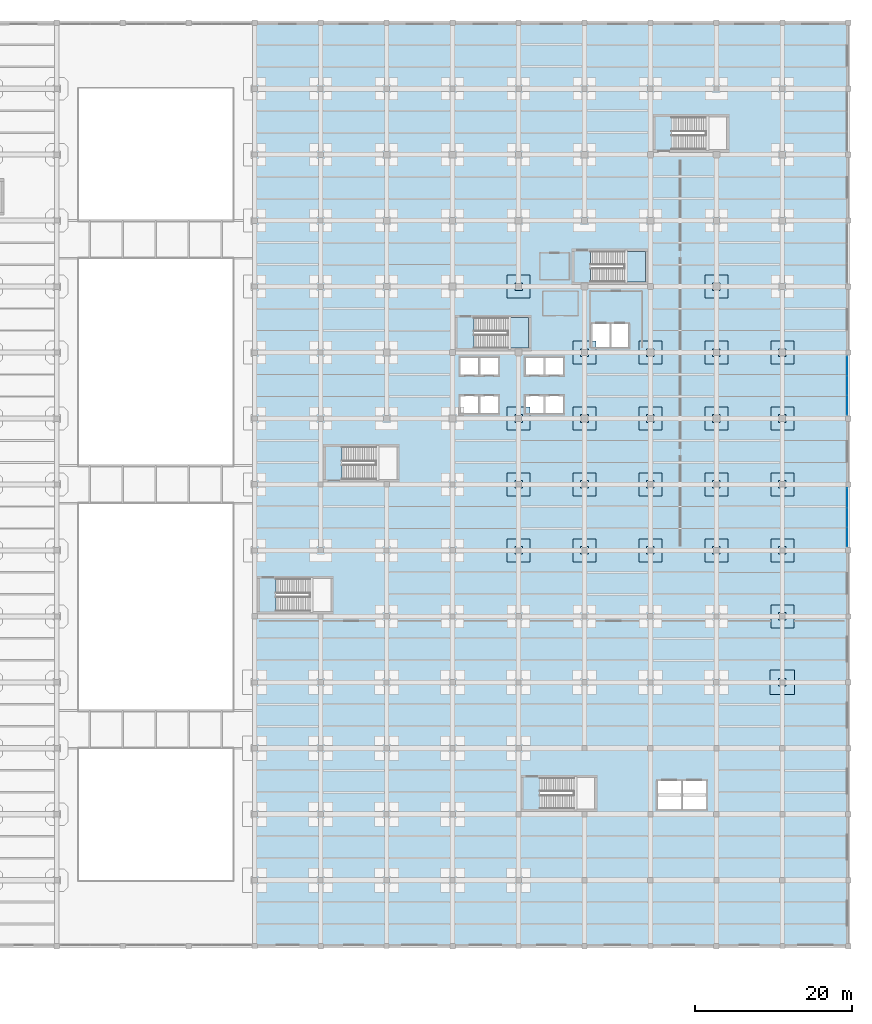
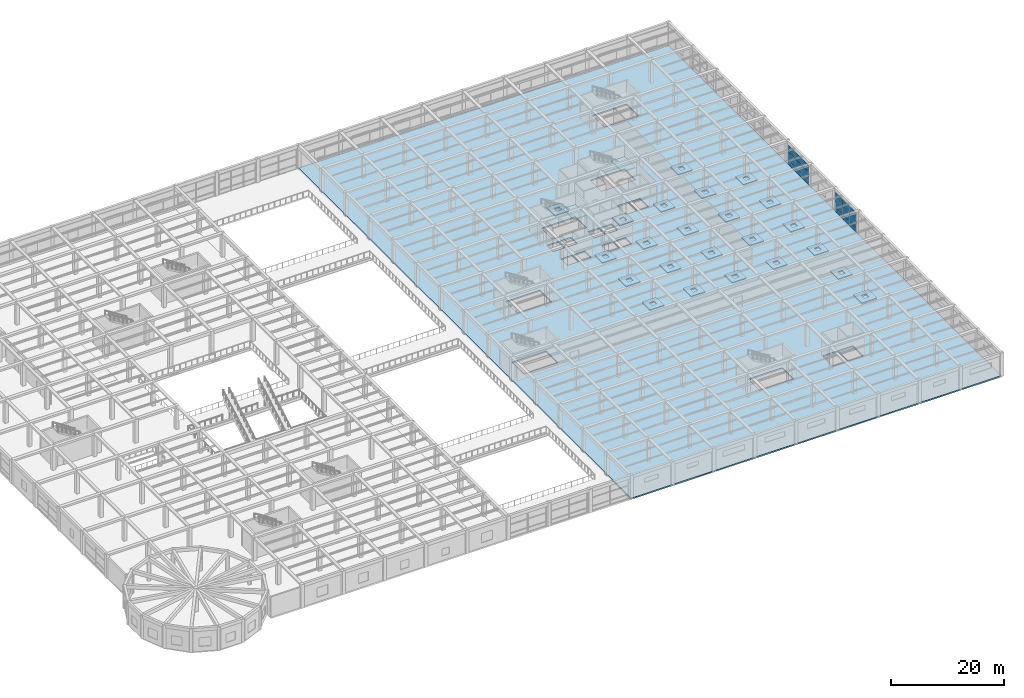
# One storey, part 45 of 65: 26 slabs, 18 plates, 4 elements without a shape of their own.
"""IFC4 building model written with IfcOpenShell, lengths in metres."""

from ifc_helpers import new_model, si_unit, direction, frame, origin, origin_2d, place, context, subcontext, project, spatial, polyline, rectangle, outline, extrude, material, layer, layer_set, type_object, element, aggregate, save


model = new_model("IFC4")

# Units and contexts
model_context = context("Model", 3, precision=1e-05, world=origin(), true_north=direction((0.0, 1.0)))
body_context = subcontext(model_context, "Body", "Model", "MODEL_VIEW")
ifc_project = project(units=[si_unit("LENGTHUNIT", "METRE"), si_unit("AREAUNIT", "SQUARE_METRE"), si_unit("VOLUMEUNIT", "CUBIC_METRE"), si_unit("PLANEANGLEUNIT", "RADIAN"), si_unit("MASSUNIT", "GRAM", prefix="KILO")], contexts=[model_context])

# Site, building, storey
site_placement = place(None, origin())
site = spatial("IfcSite", under=ifc_project, at=site_placement, CompositionType="ELEMENT")
building_placement = place(site_placement, origin())
building = spatial("IfcBuilding", under=site, at=building_placement, Name="Almacenes y Pasaje Nevantli", CompositionType="ELEMENT")
storey_placement = place(building_placement, frame((0.0, 0.0, 16.800048828125)))
storey = spatial("IfcBuildingStorey", under=building, at=storey_placement, Name="L04", CompositionType="ELEMENT", Elevation=16.800048828125)

# Curtain wall, plates
ifc_material_1 = material(Name="Thermally Broken Aluminium and Low-E Glass", Category="aluminium")
curtain_wall_type = type_object("IfcCurtainWallType", Name="CW-UNIT-PODIUM", PredefinedType="USERDEFINED", material=ifc_material_1)
curtain_wall_1_placement = place(storey_placement, origin())
curtain_wall_1 = element("IfcCurtainWall", 1, at=curtain_wall_1_placement, inside=storey, type_object=curtain_wall_type, Name="L04 East Office Wing Curtain Wall Bay 7", ObjectType="UNITIZED CURTAIN WALL", PredefinedType="USERDEFINED")
ifc_material_2 = material(Name="Low-E Double Glazed Insulated Unit", Category="glass")
ifc_layer_1 = layer(ifc_material_2, 0.031982421875)
ifc_layer_set_1 = layer_set([ifc_layer_1], Name="Low-E Double Glazed Insulated Unit")
plate_type = type_object("IfcPlateType", Name="PL-IGU-32", PredefinedType="CURTAIN_PANEL", material=ifc_layer_set_1)
plate_1_placement = place(storey_placement, frame((167.85009765625, 52.11376953125, 0.05517578125), z_axis=(0.0, 0.0, 1.0), x_axis=(0.0, 1.0, 0.0)))
plate_1 = element("IfcPlate", 2, at=plate_1_placement, type_object=plate_type, Name="CW-L04-079 panel 1.1", PredefinedType="CURTAIN_PANEL", context=body_context, shape_type="SweptSolid", body=[
    extrude(rectangle(XDim=2.41748046875, YDim=0.031982421875, at=origin_2d()), origin(), (0.0, 0.0, 1.0), 0.867431640625),
])
plate_2_placement = place(storey_placement, frame((167.85009765625, 52.11376953125, 0.9775390625), z_axis=(0.0, 0.0, 1.0), x_axis=(0.0, 1.0, 0.0)))
plate_2 = element("IfcPlate", 3, at=plate_2_placement, type_object=plate_type, Name="CW-L04-079 panel 1.2", PredefinedType="CURTAIN_PANEL", context=body_context, shape_type="SweptSolid", body=[
    extrude(rectangle(XDim=2.41748046875, YDim=0.031982421875, at=origin_2d()), origin(), (0.0, 0.0, 1.0), 1.844970703125),
])
plate_3_placement = place(storey_placement, frame((167.85009765625, 52.11376953125, 2.87744140625), z_axis=(0.0, 0.0, 1.0), x_axis=(0.0, 1.0, 0.0)))
plate_3 = element("IfcPlate", 4, at=plate_3_placement, type_object=plate_type, Name="CW-L04-079 panel 1.3", PredefinedType="CURTAIN_PANEL", context=body_context, shape_type="SweptSolid", body=[
    extrude(rectangle(XDim=2.41748046875, YDim=0.031982421875, at=origin_2d()), origin(), (0.0, 0.0, 1.0), 1.447509765625),
])
plate_4_placement = place(storey_placement, frame((167.85009765625, 54.60009765625, 0.05517578125), z_axis=(0.0, 0.0, 1.0), x_axis=(0.0, 1.0, 0.0)))
plate_4 = element("IfcPlate", 5, at=plate_4_placement, type_object=plate_type, Name="CW-L04-079 panel 2.1", PredefinedType="CURTAIN_PANEL", context=body_context, shape_type="SweptSolid", body=[
    extrude(rectangle(XDim=2.445068359375, YDim=0.031982421875, at=origin_2d()), origin(), (0.0, 0.0, 1.0), 0.867431640625),
])
plate_5_placement = place(storey_placement, frame((167.85009765625, 54.60009765625, 0.9775390625), z_axis=(0.0, 0.0, 1.0), x_axis=(0.0, 1.0, 0.0)))
plate_5 = element("IfcPlate", 6, at=plate_5_placement, type_object=plate_type, Name="CW-L04-079 panel 2.2", PredefinedType="CURTAIN_PANEL", context=body_context, shape_type="SweptSolid", body=[
    extrude(rectangle(XDim=2.445068359375, YDim=0.031982421875, at=origin_2d()), origin(), (0.0, 0.0, 1.0), 1.844970703125),
])
plate_6_placement = place(storey_placement, frame((167.85009765625, 54.60009765625, 2.87744140625), z_axis=(0.0, 0.0, 1.0), x_axis=(0.0, 1.0, 0.0)))
plate_6 = element("IfcPlate", 7, at=plate_6_placement, type_object=plate_type, Name="CW-L04-079 panel 2.3", PredefinedType="CURTAIN_PANEL", context=body_context, shape_type="SweptSolid", body=[
    extrude(rectangle(XDim=2.445068359375, YDim=0.031982421875, at=origin_2d()), origin(), (0.0, 0.0, 1.0), 1.447509765625),
])
plate_7_placement = place(storey_placement, frame((167.85009765625, 57.086181640625, 0.05517578125), z_axis=(0.0, 0.0, 1.0), x_axis=(0.0, 1.0, 0.0)))
plate_7 = element("IfcPlate", 8, at=plate_7_placement, type_object=plate_type, Name="CW-L04-079 panel 3.1", PredefinedType="CURTAIN_PANEL", context=body_context, shape_type="SweptSolid", body=[
    extrude(rectangle(XDim=2.41748046875, YDim=0.031982421875, at=origin_2d()), origin(), (0.0, 0.0, 1.0), 0.867431640625),
])
plate_8_placement = place(storey_placement, frame((167.85009765625, 57.086181640625, 0.9775390625), z_axis=(0.0, 0.0, 1.0), x_axis=(0.0, 1.0, 0.0)))
plate_8 = element("IfcPlate", 9, at=plate_8_placement, type_object=plate_type, Name="CW-L04-079 panel 3.2", PredefinedType="CURTAIN_PANEL", context=body_context, shape_type="SweptSolid", body=[
    extrude(rectangle(XDim=2.41748046875, YDim=0.031982421875, at=origin_2d()), origin(), (0.0, 0.0, 1.0), 1.844970703125),
])
plate_9_placement = place(storey_placement, frame((167.85009765625, 57.086181640625, 2.87744140625), z_axis=(0.0, 0.0, 1.0), x_axis=(0.0, 1.0, 0.0)))
plate_9 = element("IfcPlate", 10, at=plate_9_placement, type_object=plate_type, Name="CW-L04-079 panel 3.3", PredefinedType="CURTAIN_PANEL", context=body_context, shape_type="SweptSolid", body=[
    extrude(rectangle(XDim=2.41748046875, YDim=0.031982421875, at=origin_2d()), origin(), (0.0, 0.0, 1.0), 1.447509765625),
])
aggregate(curtain_wall_1, [plate_1, plate_2, plate_3, plate_4, plate_5, plate_6, plate_7, plate_8, plate_9])

curtain_wall_2_placement = place(storey_placement, origin())
curtain_wall_2 = element("IfcCurtainWall", 11, at=curtain_wall_2_placement, inside=storey, type_object=curtain_wall_type, Name="L04 East Office Wing Curtain Wall Bay 9", ObjectType="UNITIZED CURTAIN WALL", PredefinedType="USERDEFINED")
plate_10_placement = place(storey_placement, frame((167.85009765625, 68.913818359375, 0.05517578125), z_axis=(0.0, 0.0, 1.0), x_axis=(0.0, 1.0, 0.0)))
plate_10 = element("IfcPlate", 12, at=plate_10_placement, type_object=plate_type, Name="CW-L04-080 panel 1.1", PredefinedType="CURTAIN_PANEL", context=body_context, shape_type="SweptSolid", body=[
    extrude(rectangle(XDim=2.41748046875, YDim=0.031982421875, at=origin_2d()), origin(), (0.0, 0.0, 1.0), 0.867431640625),
])
plate_11_placement = place(storey_placement, frame((167.85009765625, 68.913818359375, 0.9775390625), z_axis=(0.0, 0.0, 1.0), x_axis=(0.0, 1.0, 0.0)))
plate_11 = element("IfcPlate", 13, at=plate_11_placement, type_object=plate_type, Name="CW-L04-080 panel 1.2", PredefinedType="CURTAIN_PANEL", context=body_context, shape_type="SweptSolid", body=[
    extrude(rectangle(XDim=2.41748046875, YDim=0.031982421875, at=origin_2d()), origin(), (0.0, 0.0, 1.0), 1.844970703125),
])
plate_12_placement = place(storey_placement, frame((167.85009765625, 68.913818359375, 2.87744140625), z_axis=(0.0, 0.0, 1.0), x_axis=(0.0, 1.0, 0.0)))
plate_12 = element("IfcPlate", 14, at=plate_12_placement, type_object=plate_type, Name="CW-L04-080 panel 1.3", PredefinedType="CURTAIN_PANEL", context=body_context, shape_type="SweptSolid", body=[
    extrude(rectangle(XDim=2.41748046875, YDim=0.031982421875, at=origin_2d()), origin(), (0.0, 0.0, 1.0), 1.447509765625),
])
plate_13_placement = place(storey_placement, frame((167.85009765625, 71.39990234375, 0.05517578125), z_axis=(0.0, 0.0, 1.0), x_axis=(0.0, 1.0, 0.0)))
plate_13 = element("IfcPlate", 15, at=plate_13_placement, type_object=plate_type, Name="CW-L04-080 panel 2.1", PredefinedType="CURTAIN_PANEL", context=body_context, shape_type="SweptSolid", body=[
    extrude(rectangle(XDim=2.445068359375, YDim=0.031982421875, at=origin_2d()), origin(), (0.0, 0.0, 1.0), 0.867431640625),
])
plate_14_placement = place(storey_placement, frame((167.85009765625, 71.39990234375, 0.9775390625), z_axis=(0.0, 0.0, 1.0), x_axis=(0.0, 1.0, 0.0)))
plate_14 = element("IfcPlate", 16, at=plate_14_placement, type_object=plate_type, Name="CW-L04-080 panel 2.2", PredefinedType="CURTAIN_PANEL", context=body_context, shape_type="SweptSolid", body=[
    extrude(rectangle(XDim=2.445068359375, YDim=0.031982421875, at=origin_2d()), origin(), (0.0, 0.0, 1.0), 1.844970703125),
])
plate_15_placement = place(storey_placement, frame((167.85009765625, 71.39990234375, 2.87744140625), z_axis=(0.0, 0.0, 1.0), x_axis=(0.0, 1.0, 0.0)))
plate_15 = element("IfcPlate", 17, at=plate_15_placement, type_object=plate_type, Name="CW-L04-080 panel 2.3", PredefinedType="CURTAIN_PANEL", context=body_context, shape_type="SweptSolid", body=[
    extrude(rectangle(XDim=2.445068359375, YDim=0.031982421875, at=origin_2d()), origin(), (0.0, 0.0, 1.0), 1.447509765625),
])
plate_16_placement = place(storey_placement, frame((167.85009765625, 73.88623046875, 0.05517578125), z_axis=(0.0, 0.0, 1.0), x_axis=(0.0, 1.0, 0.0)))
plate_16 = element("IfcPlate", 18, at=plate_16_placement, type_object=plate_type, Name="CW-L04-080 panel 3.1", PredefinedType="CURTAIN_PANEL", context=body_context, shape_type="SweptSolid", body=[
    extrude(rectangle(XDim=2.41748046875, YDim=0.031982421875, at=origin_2d()), origin(), (0.0, 0.0, 1.0), 0.867431640625),
])
plate_17_placement = place(storey_placement, frame((167.85009765625, 73.88623046875, 0.9775390625), z_axis=(0.0, 0.0, 1.0), x_axis=(0.0, 1.0, 0.0)))
plate_17 = element("IfcPlate", 19, at=plate_17_placement, type_object=plate_type, Name="CW-L04-080 panel 3.2", PredefinedType="CURTAIN_PANEL", context=body_context, shape_type="SweptSolid", body=[
    extrude(rectangle(XDim=2.41748046875, YDim=0.031982421875, at=origin_2d()), origin(), (0.0, 0.0, 1.0), 1.844970703125),
])
plate_18_placement = place(storey_placement, frame((167.85009765625, 73.88623046875, 2.87744140625), z_axis=(0.0, 0.0, 1.0), x_axis=(0.0, 1.0, 0.0)))
plate_18 = element("IfcPlate", 20, at=plate_18_placement, type_object=plate_type, Name="CW-L04-080 panel 3.3", PredefinedType="CURTAIN_PANEL", context=body_context, shape_type="SweptSolid", body=[
    extrude(rectangle(XDim=2.41748046875, YDim=0.031982421875, at=origin_2d()), origin(), (0.0, 0.0, 1.0), 1.447509765625),
])
aggregate(curtain_wall_2, [plate_10, plate_11, plate_12, plate_13, plate_14, plate_15, plate_16, plate_17, plate_18])

# Slabs
ifc_material_3 = material(Name="Concrete C35/45", Category="concrete")
ifc_layer_2 = layer(ifc_material_3, 0.25)
ifc_layer_set_2 = layer_set([ifc_layer_2], Name="Concrete C35/45")
slab_type_1 = type_object("IfcSlabType", Name="SLB-DP-250", PredefinedType="USERDEFINED", material=ifc_layer_set_2)
slab_1_placement = place(storey_placement, frame((0.0, 0.0, -0.550048828125)))
element("IfcSlab", 21, at=slab_1_placement, inside=storey, type_object=slab_type_1, Name="L04 Punching-Shear Drop Panel DP-02 #881", ObjectType="DROP PANEL", PredefinedType="USERDEFINED", context=body_context, shape_type="SweptSolid", body=[
    extrude(outline(polyline([(124.550048828125, 48.949951171875), (127.449951171875, 48.949951171875), (127.449951171875, 51.85009765625), (124.550048828125, 51.85009765625), (124.550048828125, 48.949951171875)]), holes=[polyline([(125.52001953125, 49.919921875), (126.47998046875, 49.919921875), (126.47998046875, 50.8798828125), (125.52001953125, 50.8798828125), (125.52001953125, 49.919921875)])]), origin(), (0.0, 0.0, 1.0), 0.25),
])
slab_2_placement = place(storey_placement, frame((0.0, 0.0, -0.550048828125)))
element("IfcSlab", 22, at=slab_2_placement, inside=storey, type_object=slab_type_1, Name="L04 Punching-Shear Drop Panel DP-02 #882", ObjectType="DROP PANEL", PredefinedType="USERDEFINED", context=body_context, shape_type="SweptSolid", body=[
    extrude(outline(polyline([(124.550048828125, 57.35009765625), (127.449951171875, 57.35009765625), (127.449951171875, 60.25), (124.550048828125, 60.25), (124.550048828125, 57.35009765625)]), holes=[polyline([(125.52001953125, 58.320068359375), (126.47998046875, 58.320068359375), (126.47998046875, 59.280029296875), (125.52001953125, 59.280029296875), (125.52001953125, 58.320068359375)])]), origin(), (0.0, 0.0, 1.0), 0.25),
])
slab_3_placement = place(storey_placement, frame((0.0, 0.0, -0.550048828125)))
element("IfcSlab", 23, at=slab_3_placement, inside=storey, type_object=slab_type_1, Name="L04 Punching-Shear Drop Panel DP-02 #883", ObjectType="DROP PANEL", PredefinedType="USERDEFINED", context=body_context, shape_type="SweptSolid", body=[
    extrude(outline(polyline([(124.550048828125, 65.75), (127.449951171875, 65.75), (127.449951171875, 68.64990234375), (124.550048828125, 68.64990234375), (124.550048828125, 65.75)]), holes=[polyline([(125.52001953125, 66.719970703125), (126.47998046875, 66.719970703125), (126.47998046875, 67.679931640625), (125.52001953125, 67.679931640625), (125.52001953125, 66.719970703125)])]), origin(), (0.0, 0.0, 1.0), 0.25),
])
slab_4_placement = place(storey_placement, frame((0.0, 0.0, -0.550048828125)))
element("IfcSlab", 24, at=slab_4_placement, inside=storey, type_object=slab_type_1, Name="L04 Punching-Shear Drop Panel DP-02 #884", ObjectType="DROP PANEL", PredefinedType="USERDEFINED", context=body_context, shape_type="SweptSolid", body=[
    extrude(outline(polyline([(124.550048828125, 82.550048828125), (127.449951171875, 82.550048828125), (127.449951171875, 85.449951171875), (124.550048828125, 85.449951171875), (124.550048828125, 82.550048828125)]), holes=[polyline([(125.52001953125, 83.52001953125), (126.47998046875, 83.52001953125), (126.47998046875, 84.47998046875), (125.52001953125, 84.47998046875), (125.52001953125, 83.52001953125)])]), origin(), (0.0, 0.0, 1.0), 0.25),
])
slab_5_placement = place(storey_placement, frame((0.0, 0.0, -0.550048828125)))
element("IfcSlab", 25, at=slab_5_placement, inside=storey, type_object=slab_type_1, Name="L04 Punching-Shear Drop Panel DP-02 #890", ObjectType="DROP PANEL", PredefinedType="USERDEFINED", context=body_context, shape_type="SweptSolid", body=[
    extrude(outline(polyline([(132.949951171875, 48.949951171875), (135.85009765625, 48.949951171875), (135.85009765625, 51.85009765625), (132.949951171875, 51.85009765625), (132.949951171875, 48.949951171875)]), holes=[polyline([(133.919921875, 49.919921875), (134.8798828125, 49.919921875), (134.8798828125, 50.8798828125), (133.919921875, 50.8798828125), (133.919921875, 49.919921875)])]), origin(), (0.0, 0.0, 1.0), 0.25),
])
slab_6_placement = place(storey_placement, frame((0.0, 0.0, -0.550048828125)))
element("IfcSlab", 26, at=slab_6_placement, inside=storey, type_object=slab_type_1, Name="L04 Punching-Shear Drop Panel DP-02 #891", ObjectType="DROP PANEL", PredefinedType="USERDEFINED", context=body_context, shape_type="SweptSolid", body=[
    extrude(outline(polyline([(132.949951171875, 57.35009765625), (135.85009765625, 57.35009765625), (135.85009765625, 60.25), (132.949951171875, 60.25), (132.949951171875, 57.35009765625)]), holes=[polyline([(133.919921875, 58.320068359375), (134.8798828125, 58.320068359375), (134.8798828125, 59.280029296875), (133.919921875, 59.280029296875), (133.919921875, 58.320068359375)])]), origin(), (0.0, 0.0, 1.0), 0.25),
])
slab_7_placement = place(storey_placement, frame((0.0, 0.0, -0.550048828125)))
element("IfcSlab", 27, at=slab_7_placement, inside=storey, type_object=slab_type_1, Name="L04 Punching-Shear Drop Panel DP-02 #892", ObjectType="DROP PANEL", PredefinedType="USERDEFINED", context=body_context, shape_type="SweptSolid", body=[
    extrude(outline(polyline([(132.949951171875, 65.75), (135.85009765625, 65.75), (135.85009765625, 68.64990234375), (132.949951171875, 68.64990234375), (132.949951171875, 65.75)]), holes=[polyline([(133.919921875, 66.719970703125), (134.8798828125, 66.719970703125), (134.8798828125, 67.679931640625), (133.919921875, 67.679931640625), (133.919921875, 66.719970703125)])]), origin(), (0.0, 0.0, 1.0), 0.25),
])
slab_8_placement = place(storey_placement, frame((0.0, 0.0, -0.550048828125)))
element("IfcSlab", 28, at=slab_8_placement, inside=storey, type_object=slab_type_1, Name="L04 Punching-Shear Drop Panel DP-02 #893", ObjectType="DROP PANEL", PredefinedType="USERDEFINED", context=body_context, shape_type="SweptSolid", body=[
    extrude(outline(polyline([(132.949951171875, 74.14990234375), (135.85009765625, 74.14990234375), (135.85009765625, 77.050048828125), (132.949951171875, 77.050048828125), (132.949951171875, 74.14990234375)]), holes=[polyline([(133.919921875, 75.1201171875), (134.8798828125, 75.1201171875), (134.8798828125, 76.080078125), (133.919921875, 76.080078125), (133.919921875, 75.1201171875)])]), origin(), (0.0, 0.0, 1.0), 0.25),
])
slab_9_placement = place(storey_placement, frame((0.0, 0.0, -0.550048828125)))
element("IfcSlab", 29, at=slab_9_placement, inside=storey, type_object=slab_type_1, Name="L04 Punching-Shear Drop Panel DP-02 #899", ObjectType="DROP PANEL", PredefinedType="USERDEFINED", context=body_context, shape_type="SweptSolid", body=[
    extrude(outline(polyline([(141.35009765625, 48.949951171875), (144.25, 48.949951171875), (144.25, 51.85009765625), (141.35009765625, 51.85009765625), (141.35009765625, 48.949951171875)]), holes=[polyline([(142.320068359375, 49.919921875), (143.280029296875, 49.919921875), (143.280029296875, 50.8798828125), (142.320068359375, 50.8798828125), (142.320068359375, 49.919921875)])]), origin(), (0.0, 0.0, 1.0), 0.25),
])
slab_10_placement = place(storey_placement, frame((0.0, 0.0, -0.550048828125)))
element("IfcSlab", 30, at=slab_10_placement, inside=storey, type_object=slab_type_1, Name="L04 Punching-Shear Drop Panel DP-02 #900", ObjectType="DROP PANEL", PredefinedType="USERDEFINED", context=body_context, shape_type="SweptSolid", body=[
    extrude(outline(polyline([(141.35009765625, 57.35009765625), (144.25, 57.35009765625), (144.25, 60.25), (141.35009765625, 60.25), (141.35009765625, 57.35009765625)]), holes=[polyline([(142.320068359375, 58.320068359375), (143.280029296875, 58.320068359375), (143.280029296875, 59.280029296875), (142.320068359375, 59.280029296875), (142.320068359375, 58.320068359375)])]), origin(), (0.0, 0.0, 1.0), 0.25),
])
slab_11_placement = place(storey_placement, frame((0.0, 0.0, -0.550048828125)))
element("IfcSlab", 31, at=slab_11_placement, inside=storey, type_object=slab_type_1, Name="L04 Punching-Shear Drop Panel DP-02 #901", ObjectType="DROP PANEL", PredefinedType="USERDEFINED", context=body_context, shape_type="SweptSolid", body=[
    extrude(outline(polyline([(141.35009765625, 65.75), (144.25, 65.75), (144.25, 68.64990234375), (141.35009765625, 68.64990234375), (141.35009765625, 65.75)]), holes=[polyline([(142.320068359375, 66.719970703125), (143.280029296875, 66.719970703125), (143.280029296875, 67.679931640625), (142.320068359375, 67.679931640625), (142.320068359375, 66.719970703125)])]), origin(), (0.0, 0.0, 1.0), 0.25),
])
slab_12_placement = place(storey_placement, frame((0.0, 0.0, -0.550048828125)))
element("IfcSlab", 32, at=slab_12_placement, inside=storey, type_object=slab_type_1, Name="L04 Punching-Shear Drop Panel DP-02 #902", ObjectType="DROP PANEL", PredefinedType="USERDEFINED", context=body_context, shape_type="SweptSolid", body=[
    extrude(outline(polyline([(141.35009765625, 74.14990234375), (144.25, 74.14990234375), (144.25, 77.050048828125), (141.35009765625, 77.050048828125), (141.35009765625, 74.14990234375)]), holes=[polyline([(142.320068359375, 75.1201171875), (143.280029296875, 75.1201171875), (143.280029296875, 76.080078125), (142.320068359375, 76.080078125), (142.320068359375, 75.1201171875)])]), origin(), (0.0, 0.0, 1.0), 0.25),
])
slab_13_placement = place(storey_placement, frame((0.0, 0.0, -0.550048828125)))
element("IfcSlab", 33, at=slab_13_placement, inside=storey, type_object=slab_type_1, Name="L04 Punching-Shear Drop Panel DP-02 #907", ObjectType="DROP PANEL", PredefinedType="USERDEFINED", context=body_context, shape_type="SweptSolid", body=[
    extrude(outline(polyline([(149.75, 48.949951171875), (152.64990234375, 48.949951171875), (152.64990234375, 51.85009765625), (149.75, 51.85009765625), (149.75, 48.949951171875)]), holes=[polyline([(150.719970703125, 49.919921875), (151.679931640625, 49.919921875), (151.679931640625, 50.8798828125), (150.719970703125, 50.8798828125), (150.719970703125, 49.919921875)])]), origin(), (0.0, 0.0, 1.0), 0.25),
])
slab_14_placement = place(storey_placement, frame((0.0, 0.0, -0.550048828125)))
element("IfcSlab", 34, at=slab_14_placement, inside=storey, type_object=slab_type_1, Name="L04 Punching-Shear Drop Panel DP-02 #908", ObjectType="DROP PANEL", PredefinedType="USERDEFINED", context=body_context, shape_type="SweptSolid", body=[
    extrude(outline(polyline([(149.75, 57.35009765625), (152.64990234375, 57.35009765625), (152.64990234375, 60.25), (149.75, 60.25), (149.75, 57.35009765625)]), holes=[polyline([(150.719970703125, 58.320068359375), (151.679931640625, 58.320068359375), (151.679931640625, 59.280029296875), (150.719970703125, 59.280029296875), (150.719970703125, 58.320068359375)])]), origin(), (0.0, 0.0, 1.0), 0.25),
])
slab_15_placement = place(storey_placement, frame((0.0, 0.0, -0.550048828125)))
element("IfcSlab", 35, at=slab_15_placement, inside=storey, type_object=slab_type_1, Name="L04 Punching-Shear Drop Panel DP-02 #909", ObjectType="DROP PANEL", PredefinedType="USERDEFINED", context=body_context, shape_type="SweptSolid", body=[
    extrude(outline(polyline([(149.75, 65.75), (152.64990234375, 65.75), (152.64990234375, 68.64990234375), (149.75, 68.64990234375), (149.75, 65.75)]), holes=[polyline([(150.719970703125, 66.719970703125), (151.679931640625, 66.719970703125), (151.679931640625, 67.679931640625), (150.719970703125, 67.679931640625), (150.719970703125, 66.719970703125)])]), origin(), (0.0, 0.0, 1.0), 0.25),
])
slab_16_placement = place(storey_placement, frame((0.0, 0.0, -0.550048828125)))
element("IfcSlab", 36, at=slab_16_placement, inside=storey, type_object=slab_type_1, Name="L04 Punching-Shear Drop Panel DP-02 #910", ObjectType="DROP PANEL", PredefinedType="USERDEFINED", context=body_context, shape_type="SweptSolid", body=[
    extrude(outline(polyline([(149.75, 74.14990234375), (152.64990234375, 74.14990234375), (152.64990234375, 77.050048828125), (149.75, 77.050048828125), (149.75, 74.14990234375)]), holes=[polyline([(150.719970703125, 75.1201171875), (151.679931640625, 75.1201171875), (151.679931640625, 76.080078125), (150.719970703125, 76.080078125), (150.719970703125, 75.1201171875)])]), origin(), (0.0, 0.0, 1.0), 0.25),
])
slab_17_placement = place(storey_placement, frame((0.0, 0.0, -0.550048828125)))
element("IfcSlab", 37, at=slab_17_placement, inside=storey, type_object=slab_type_1, Name="L04 Punching-Shear Drop Panel DP-02 #911", ObjectType="DROP PANEL", PredefinedType="USERDEFINED", context=body_context, shape_type="SweptSolid", body=[
    extrude(outline(polyline([(149.75, 82.550048828125), (152.64990234375, 82.550048828125), (152.64990234375, 85.449951171875), (149.75, 85.449951171875), (149.75, 82.550048828125)]), holes=[polyline([(150.719970703125, 83.52001953125), (151.679931640625, 83.52001953125), (151.679931640625, 84.47998046875), (150.719970703125, 84.47998046875), (150.719970703125, 83.52001953125)])]), origin(), (0.0, 0.0, 1.0), 0.25),
])
slab_18_placement = place(storey_placement, frame((0.0, 0.0, -0.550048828125)))
element("IfcSlab", 38, at=slab_18_placement, inside=storey, type_object=slab_type_1, Name="L04 Punching-Shear Drop Panel DP-02 #915", ObjectType="DROP PANEL", PredefinedType="USERDEFINED", context=body_context, shape_type="SweptSolid", body=[
    extrude(outline(polyline([(158.14990234375, 40.550048828125), (161.050048828125, 40.550048828125), (161.050048828125, 43.449951171875), (158.14990234375, 43.449951171875), (158.14990234375, 40.550048828125)]), holes=[polyline([(159.1201171875, 41.52001953125), (160.080078125, 41.52001953125), (160.080078125, 42.47998046875), (159.1201171875, 42.47998046875), (159.1201171875, 41.52001953125)])]), origin(), (0.0, 0.0, 1.0), 0.25),
])
slab_19_placement = place(storey_placement, frame((0.0, 0.0, -0.550048828125)))
element("IfcSlab", 39, at=slab_19_placement, inside=storey, type_object=slab_type_1, Name="L04 Punching-Shear Drop Panel DP-02 #916", ObjectType="DROP PANEL", PredefinedType="USERDEFINED", context=body_context, shape_type="SweptSolid", body=[
    extrude(outline(polyline([(158.14990234375, 48.949951171875), (161.050048828125, 48.949951171875), (161.050048828125, 51.85009765625), (158.14990234375, 51.85009765625), (158.14990234375, 48.949951171875)]), holes=[polyline([(159.1201171875, 49.919921875), (160.080078125, 49.919921875), (160.080078125, 50.8798828125), (159.1201171875, 50.8798828125), (159.1201171875, 49.919921875)])]), origin(), (0.0, 0.0, 1.0), 0.25),
])
slab_20_placement = place(storey_placement, frame((0.0, 0.0, -0.550048828125)))
element("IfcSlab", 40, at=slab_20_placement, inside=storey, type_object=slab_type_1, Name="L04 Punching-Shear Drop Panel DP-02 #917", ObjectType="DROP PANEL", PredefinedType="USERDEFINED", context=body_context, shape_type="SweptSolid", body=[
    extrude(outline(polyline([(158.14990234375, 57.35009765625), (161.050048828125, 57.35009765625), (161.050048828125, 60.25), (158.14990234375, 60.25), (158.14990234375, 57.35009765625)]), holes=[polyline([(159.1201171875, 58.320068359375), (160.080078125, 58.320068359375), (160.080078125, 59.280029296875), (159.1201171875, 59.280029296875), (159.1201171875, 58.320068359375)])]), origin(), (0.0, 0.0, 1.0), 0.25),
])
slab_21_placement = place(storey_placement, frame((0.0, 0.0, -0.550048828125)))
element("IfcSlab", 41, at=slab_21_placement, inside=storey, type_object=slab_type_1, Name="L04 Punching-Shear Drop Panel DP-02 #918", ObjectType="DROP PANEL", PredefinedType="USERDEFINED", context=body_context, shape_type="SweptSolid", body=[
    extrude(outline(polyline([(158.14990234375, 65.75), (161.050048828125, 65.75), (161.050048828125, 68.64990234375), (158.14990234375, 68.64990234375), (158.14990234375, 65.75)]), holes=[polyline([(159.1201171875, 66.719970703125), (160.080078125, 66.719970703125), (160.080078125, 67.679931640625), (159.1201171875, 67.679931640625), (159.1201171875, 66.719970703125)])]), origin(), (0.0, 0.0, 1.0), 0.25),
])
slab_22_placement = place(storey_placement, frame((0.0, 0.0, -0.550048828125)))
element("IfcSlab", 42, at=slab_22_placement, inside=storey, type_object=slab_type_1, Name="L04 Punching-Shear Drop Panel DP-02 #919", ObjectType="DROP PANEL", PredefinedType="USERDEFINED", context=body_context, shape_type="SweptSolid", body=[
    extrude(outline(polyline([(158.14990234375, 74.14990234375), (161.050048828125, 74.14990234375), (161.050048828125, 77.050048828125), (158.14990234375, 77.050048828125), (158.14990234375, 74.14990234375)]), holes=[polyline([(159.1201171875, 75.1201171875), (160.080078125, 75.1201171875), (160.080078125, 76.080078125), (159.1201171875, 76.080078125), (159.1201171875, 75.1201171875)])]), origin(), (0.0, 0.0, 1.0), 0.25),
])
ifc_material_4 = material(Name="Concrete C35/45", Category="concrete")
ifc_layer_3 = layer(ifc_material_4, 0.31005859375)
ifc_layer_set_3 = layer_set([ifc_layer_3], Name="Concrete C35/45")
slab_type_2 = type_object("IfcSlabType", Name="SLB-DP-310", PredefinedType="USERDEFINED", material=ifc_layer_set_3)
slab_23_placement = place(storey_placement, frame((0.0, 0.0, -0.610107421875)))
element("IfcSlab", 43, at=slab_23_placement, inside=storey, type_object=slab_type_2, Name="L04 Punching-Shear Drop Panel DP-03 #914", ObjectType="DROP PANEL", PredefinedType="USERDEFINED", context=body_context, shape_type="SweptSolid", body=[
    extrude(outline(polyline([(158.050048828125, 32.050048828125), (161.14990234375, 32.050048828125), (161.14990234375, 35.14990234375), (158.050048828125, 35.14990234375), (158.050048828125, 32.050048828125)]), holes=[polyline([(159.1201171875, 33.1201171875), (160.080078125, 33.1201171875), (160.080078125, 34.080078125), (159.1201171875, 34.080078125), (159.1201171875, 33.1201171875)])]), origin(), (0.0, 0.0, 1.0), 0.31005859375),
])
ifc_material_5 = material(Name="Concrete C35/45", Category="concrete")
ifc_layer_4 = layer(ifc_material_5, 0.300048828125)
ifc_layer_set_4 = layer_set([ifc_layer_4], Name="Concrete C35/45")
slab_type_3 = type_object("IfcSlabType", Name="SLB-FLR-300", PredefinedType="FLOOR", material=ifc_layer_set_4)
slab_24_placement = place(storey_placement, frame((0.0, 0.0, -0.300048828125)))
element("IfcSlab", 44, at=slab_24_placement, inside=storey, type_object=slab_type_3, Name="L04 East Podium Retail and Tower Core Slab", PredefinedType="FLOOR", context=body_context, shape_type="SweptSolid", body=[
    extrude(outline(polyline([(92.39990234375, 0.0), (168.0, 0.0), (168.0, 117.60009765625), (92.39990234375, 117.60009765625), (92.39990234375, 0.0)]), holes=[polyline([(120.31494140625, 76.14990234375), (127.300048828125, 76.14990234375), (127.300048828125, 80.0400390625), (120.31494140625, 80.0400390625), (120.31494140625, 76.14990234375)]), polyline([(135.1650390625, 84.60009765625), (142.14990234375, 84.60009765625), (142.14990234375, 88.489990234375), (135.1650390625, 88.489990234375), (135.1650390625, 84.60009765625)]), polyline([(128.715087890625, 17.5), (135.699951171875, 17.5), (135.699951171875, 21.449951171875), (128.715087890625, 21.449951171875), (128.715087890625, 17.5)]), polyline([(145.514892578125, 101.449951171875), (152.5, 101.449951171875), (152.5, 105.60009765625), (145.514892578125, 105.60009765625), (145.514892578125, 101.449951171875)]), polyline([(95.114990234375, 42.64990234375), (102.10009765625, 42.64990234375), (102.10009765625, 46.800048828125), (95.114990234375, 46.800048828125), (95.114990234375, 42.64990234375)]), polyline([(103.514892578125, 59.449951171875), (110.5, 59.449951171875), (110.5, 63.60009765625), (103.514892578125, 63.60009765625), (103.514892578125, 59.449951171875)]), polyline([(126.89990234375, 67.85009765625), (129.199951171875, 67.85009765625), (129.199951171875, 70.050048828125), (126.89990234375, 70.050048828125), (126.89990234375, 67.85009765625)]), polyline([(129.39990234375, 67.85009765625), (131.699951171875, 67.85009765625), (131.699951171875, 70.050048828125), (129.39990234375, 70.050048828125), (129.39990234375, 67.85009765625)]), polyline([(126.89990234375, 72.75), (129.199951171875, 72.75), (129.199951171875, 74.949951171875), (126.89990234375, 74.949951171875), (126.89990234375, 72.75)]), polyline([(129.39990234375, 72.75), (131.699951171875, 72.75), (131.699951171875, 74.949951171875), (129.39990234375, 74.949951171875), (129.39990234375, 72.75)]), polyline([(118.60009765625, 67.85009765625), (120.89990234375, 67.85009765625), (120.89990234375, 70.050048828125), (118.60009765625, 70.050048828125), (118.60009765625, 67.85009765625)]), polyline([(121.10009765625, 67.85009765625), (123.39990234375, 67.85009765625), (123.39990234375, 70.050048828125), (121.10009765625, 70.050048828125), (121.10009765625, 67.85009765625)]), polyline([(118.60009765625, 72.75), (120.89990234375, 72.75), (120.89990234375, 74.949951171875), (118.60009765625, 74.949951171875), (118.60009765625, 72.75)]), polyline([(121.10009765625, 72.75), (123.39990234375, 72.75), (123.39990234375, 74.949951171875), (121.10009765625, 74.949951171875), (121.10009765625, 72.75)]), polyline([(135.39990234375, 76.25), (137.60009765625, 76.25), (137.60009765625, 79.25), (135.39990234375, 79.25), (135.39990234375, 76.25)]), polyline([(137.800048828125, 76.25), (140.0, 76.25), (140.0, 79.25), (137.800048828125, 79.25), (137.800048828125, 76.25)]), polyline([(143.699951171875, 17.449951171875), (146.699951171875, 17.449951171875), (146.699951171875, 21.050048828125), (143.699951171875, 21.050048828125), (143.699951171875, 17.449951171875)]), polyline([(146.89990234375, 17.449951171875), (149.89990234375, 17.449951171875), (149.89990234375, 21.050048828125), (146.89990234375, 21.050048828125), (146.89990234375, 17.449951171875)])]), origin(), (0.0, 0.0, 1.0), 0.300048828125),
])

# Stair, slab
ifc_material_6 = material(Name="Concrete C35/45", Category="concrete")
stair_type = type_object("IfcStairType", Name="STR-CORE-1720", PredefinedType="HALF_TURN_STAIR", material=ifc_material_6)
stair_1_placement = place(storey_placement, origin())
stair_1 = element("IfcStair", 45, at=stair_1_placement, inside=storey, type_object=stair_type, Name="L04 Staircase ST-01", PredefinedType="HALF_TURN_STAIR")
ifc_material_7 = material(Name="Concrete C35/45", Category="concrete")
ifc_layer_5 = layer(ifc_material_7, 0.199951171875)
ifc_layer_set_5 = layer_set([ifc_layer_5], Name="Concrete C35/45")
slab_type_4 = type_object("IfcSlabType", Name="SLB-LAND-200", PredefinedType="LANDING", material=ifc_layer_set_5)
slab_25_placement = place(storey_placement, frame((0.0, 0.0, 2.5)))
slab_25 = element("IfcSlab", 46, at=slab_25_placement, type_object=slab_type_4, Name="ST-01-L04 landing 1", PredefinedType="LANDING", context=body_context, shape_type="SweptSolid", body=[
    extrude(outline(polyline([(124.635009765625, 76.14990234375), (127.300048828125, 76.14990234375), (127.300048828125, 80.0400390625), (124.635009765625, 80.0400390625), (124.635009765625, 76.14990234375)])), origin(), (0.0, 0.0, 1.0), 0.199951171875),
])
aggregate(stair_1, [slab_25])

stair_2_placement = place(storey_placement, origin())
stair_2 = element("IfcStair", 47, at=stair_2_placement, inside=storey, type_object=stair_type, Name="L04 Staircase ST-02", PredefinedType="HALF_TURN_STAIR")
slab_26_placement = place(storey_placement, frame((0.0, 0.0, 2.5)))
slab_26 = element("IfcSlab", 48, at=slab_26_placement, type_object=slab_type_4, Name="ST-02-L04 landing 1", PredefinedType="LANDING", context=body_context, shape_type="SweptSolid", body=[
    extrude(outline(polyline([(139.485107421875, 84.60009765625), (142.14990234375, 84.60009765625), (142.14990234375, 88.489990234375), (139.485107421875, 88.489990234375), (139.485107421875, 84.60009765625)])), origin(), (0.0, 0.0, 1.0), 0.199951171875),
])
aggregate(stair_2, [slab_26])

save(model, "model.ifc")
